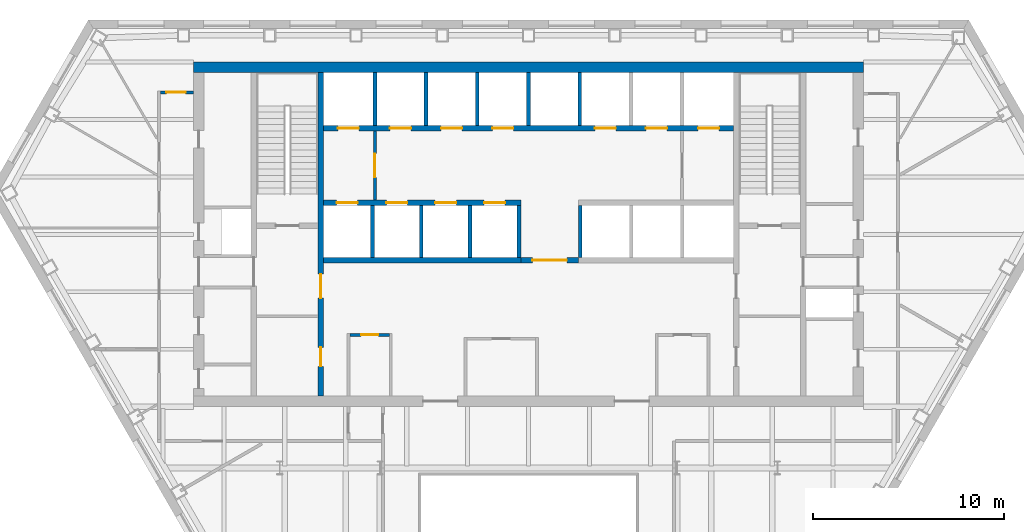
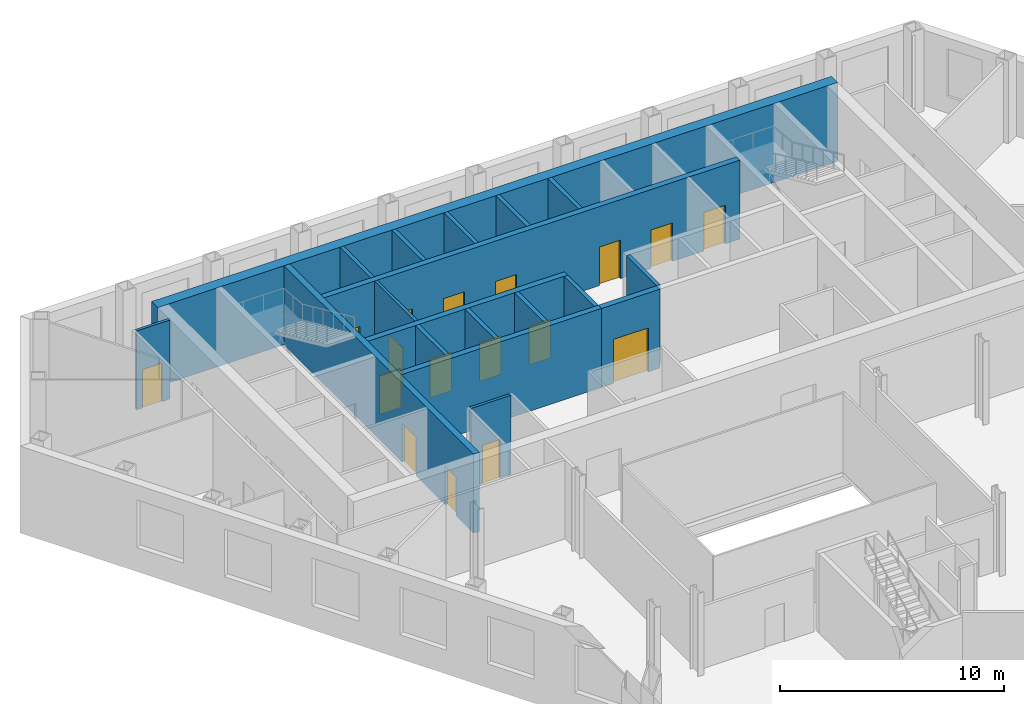
# One storey, part 6 of 11: 19 walls, 17 doors, 17 openings.
"""IFC4 building model written with IfcOpenShell, lengths in metres."""

from ifc_helpers import new_model, si_unit, direction, frame, frame_2d, origin, place, context, subcontext, project, spatial, rectangle, extrude, material, layer, layer_set, type_object, element, fill, save


model = new_model("IFC4")

# Units and contexts
model_context = context("Model", 3, precision=1e-05, world=origin(), true_north=direction((0.0, 1.0)))
body_context = subcontext(model_context, "Body", "Model", "MODEL_VIEW")
ifc_project = project(units=[si_unit("LENGTHUNIT", "METRE"), si_unit("AREAUNIT", "SQUARE_METRE"), si_unit("VOLUMEUNIT", "CUBIC_METRE"), si_unit("PLANEANGLEUNIT", "RADIAN"), si_unit("MASSUNIT", "GRAM", prefix="KILO")], contexts=[model_context])

# Site, building, storey
site_placement = place(None, origin())
site = spatial("IfcSite", under=ifc_project, at=site_placement, CompositionType="ELEMENT")
building_placement = place(site_placement, origin())
building = spatial("IfcBuilding", under=site, at=building_placement, Name="Njiva Tower", CompositionType="ELEMENT")
storey_placement = place(building_placement, frame((0.0, 0.0, 93.3)))
storey = spatial("IfcBuildingStorey", under=building, at=storey_placement, Name="L19", CompositionType="ELEMENT", Elevation=93.3)

# Wall, opening, door
ifc_material_1 = material(Name="Blockwork", Category="masonry")
ifc_layer_1 = layer(ifc_material_1, 0.15)
ifc_layer_set_1 = layer_set([ifc_layer_1], Name="Blockwork")
wall_type_1 = type_object("IfcWallType", Name="WT1 Compartment partition 150", PredefinedType="PARTITIONING", material=ifc_layer_set_1)
wall_1_placement = place(storey_placement, frame((-9.325, 3.75, 0.0), z_axis=(0.0, 0.0, 1.0), x_axis=(1.0, 0.0, 0.0)))
wall_1 = element("IfcWall", 1, at=wall_1_placement, inside=storey, type_object=wall_type_1, Name="Concierge office wall north", PredefinedType="PARTITIONING", context=body_context, shape_type="SweptSolid", body=[
    extrude(rectangle(XDim=2.05, YDim=0.15, at=frame_2d((1.025, 0.0))), origin(), (0.0, 0.0, 1.0), 4.3),
])
opening_1_placement = place(wall_1_placement, frame((0.575, 0.0, 0.0)))
opening_1 = element("IfcOpeningElement", 2, at=opening_1_placement, cuts=wall_1, Name="Opening S06-D932", PredefinedType="OPENING", context=body_context, shape_type="SweptSolid", body=[
    extrude(rectangle(XDim=0.9, YDim=2.1, at=frame_2d((0.45, 1.05))), frame((0.0, 0.085, 0.0), z_axis=(0.0, -1.0, 0.0), x_axis=(1.0, 0.0, 0.0)), (0.0, 0.0, 1.0), 0.17),
])
ifc_material_2 = material(Name="Steel fire door, painted", Category="steel")
door_type_1 = type_object("IfcDoorType", Name="D6 Fire-rated door 900x2100", OperationType="SINGLE_SWING_LEFT", PredefinedType="DOOR", material=ifc_material_2)
door_1_placement = place(opening_1_placement, origin())
door_1 = element("IfcDoor", 3, at=door_1_placement, inside=storey, type_object=door_type_1, Name="Concierge office door", OperationType="SINGLE_SWING_RIGHT", OverallHeight=2.1, OverallWidth=0.9, PredefinedType="DOOR", context=body_context, shape_type="SweptSolid", body=[
    extrude(rectangle(XDim=0.9, YDim=2.1, at=frame_2d((0.45, 1.05))), frame((0.0, 0.025, 0.0), z_axis=(0.0, -1.0, 0.0), x_axis=(1.0, 0.0, 0.0)), (0.0, 0.0, 1.0), 0.05),
])
fill(opening_1, door_1)

# Wall, openings, doors
ifc_material_3 = material(Name="Concrete C40/50", Category="concrete")
ifc_layer_2 = layer(ifc_material_3, 0.3)
ifc_layer_set_2 = layer_set([ifc_layer_2], Name="Concrete C40/50")
wall_type_2 = type_object("IfcWallType", Name="WT10 Stair enclosure wall 300", PredefinedType="SHEAR", material=ifc_layer_set_2)
wall_2_placement = place(storey_placement, frame((-10.85, 0.55, 0.0), z_axis=(0.0, 0.0, 1.0), x_axis=(0.0, 1.0, 0.0)))
wall_2 = element("IfcWall", 4, at=wall_2_placement, inside=storey, type_object=wall_type_2, Name="Stair wall west inner", PredefinedType="SHEAR", context=body_context, shape_type="SweptSolid", body=[
    extrude(rectangle(XDim=16.9, YDim=0.3, at=frame_2d((8.45, 0.0))), origin(), (0.0, 0.0, 1.0), 4.3),
])
opening_2_placement = place(wall_2_placement, frame((5.125, 0.0, 0.0)))
opening_2 = element("IfcOpeningElement", 5, at=opening_2_placement, cuts=wall_2, Name="Opening S06-D914", PredefinedType="OPENING", context=body_context, shape_type="SweptSolid", body=[
    extrude(rectangle(XDim=1.25, YDim=2.1, at=frame_2d((0.625, 1.05))), frame((0.0, 0.16, 0.0), z_axis=(0.0, -1.0, 0.0), x_axis=(1.0, 0.0, 0.0)), (0.0, 0.0, 1.0), 0.32),
])
opening_3_placement = place(wall_2_placement, frame((1.55, 0.0, 0.0)))
opening_3 = element("IfcOpeningElement", 6, at=opening_3_placement, cuts=wall_2, Name="Opening S06-D915", PredefinedType="OPENING", context=body_context, shape_type="SweptSolid", body=[
    extrude(rectangle(XDim=1.0, YDim=2.1, at=frame_2d((0.5, 1.05))), frame((0.0, 0.16, 0.0), z_axis=(0.0, -1.0, 0.0), x_axis=(1.0, 0.0, 0.0)), (0.0, 0.0, 1.0), 0.32),
])
ifc_material_4 = material(Name="Steel door, painted", Category="steel")
door_type_2 = type_object("IfcDoorType", Name="D5 Steel door 1000x2100", OperationType="SINGLE_SWING_LEFT", PredefinedType="DOOR", material=ifc_material_4)
door_2_placement = place(opening_3_placement, origin())
door_2 = element("IfcDoor", 7, at=door_2_placement, inside=storey, type_object=door_type_2, Name="Reading room door", OperationType="SINGLE_SWING_RIGHT", OverallHeight=2.1, OverallWidth=1.0, PredefinedType="DOOR", context=body_context, shape_type="SweptSolid", body=[
    extrude(rectangle(XDim=1.0, YDim=2.1, at=frame_2d((0.5, 1.05))), frame((0.0, 0.025, 0.0), z_axis=(0.0, -1.0, 0.0), x_axis=(1.0, 0.0, 0.0)), (0.0, 0.0, 1.0), 0.05),
])
fill(opening_3, door_2)
ifc_material_5 = material(Name="Glazed steel fire door", Category="steel")
door_type_3 = type_object("IfcDoorType", Name="D8 Vestibule corridor door 1250x2100 glazed", OperationType="SINGLE_SWING_LEFT", PredefinedType="DOOR", material=ifc_material_5)
door_3_placement = place(opening_2_placement, origin())
door_3 = element("IfcDoor", 8, at=door_3_placement, inside=storey, type_object=door_type_3, Name="Stair vestibule corridor door", OperationType="SINGLE_SWING_LEFT", OverallHeight=2.1, OverallWidth=1.25, PredefinedType="DOOR", context=body_context, shape_type="SweptSolid", body=[
    extrude(rectangle(XDim=1.25, YDim=2.1, at=frame_2d((0.625, 1.05))), frame((0.0, 0.025, 0.0), z_axis=(0.0, -1.0, 0.0), x_axis=(1.0, 0.0, 0.0)), (0.0, 0.0, 1.0), 0.05),
])
fill(opening_2, door_3)

# Wall
ifc_material_6 = material(Name="Concrete C60/75", Category="concrete")
ifc_layer_3 = layer(ifc_material_6, 0.55)
ifc_layer_set_3 = layer_set([ifc_layer_3], Name="Concrete C60/75")
wall_type_3 = type_object("IfcWallType", Name="WT14 Core wall 550", PredefinedType="SHEAR", material=ifc_layer_set_3)
wall_3_placement = place(storey_placement, frame((-17.5, 17.725, 0.0), z_axis=(0.0, 0.0, 1.0), x_axis=(1.0, 0.0, 0.0)))
element("IfcWall", 9, at=wall_3_placement, inside=storey, type_object=wall_type_3, Name="Core wall north", PredefinedType="SHEAR", context=body_context, shape_type="SweptSolid", body=[
    extrude(rectangle(XDim=35.0, YDim=0.55, at=frame_2d((17.5, 0.0))), origin(), (0.0, 0.0, 1.0), 4.3),
])

# Wall, opening, door
ifc_layer_4 = layer(ifc_material_1, 0.15)
ifc_layer_set_4 = layer_set([ifc_layer_4], Name="Blockwork")
wall_type_4 = type_object("IfcWallType", Name="WT2 Lobby partition 150", PredefinedType="PARTITIONING", material=ifc_layer_set_4)
wall_4_placement = place(storey_placement, frame((-8.025, 10.8, 0.0), z_axis=(0.0, 0.0, 1.0), x_axis=(0.0, 1.0, 0.0)))
wall_4 = element("IfcWall", 10, at=wall_4_placement, inside=storey, type_object=wall_type_4, Name="Firefighting lobby wall A", PredefinedType="PARTITIONING", context=body_context, shape_type="SweptSolid", body=[
    extrude(rectangle(XDim=3.6, YDim=0.15, at=frame_2d((1.8, 0.0))), origin(), (0.0, 0.0, 1.0), 4.3),
])
opening_4_placement = place(wall_4_placement, frame((1.175, 0.0, 0.0)))
opening_4 = element("IfcOpeningElement", 11, at=opening_4_placement, cuts=wall_4, Name="Opening S06-D912", PredefinedType="OPENING", context=body_context, shape_type="SweptSolid", body=[
    extrude(rectangle(XDim=1.25, YDim=2.1, at=frame_2d((0.625, 1.05))), frame((0.0, 0.085, 0.0), z_axis=(0.0, -1.0, 0.0), x_axis=(1.0, 0.0, 0.0)), (0.0, 0.0, 1.0), 0.17),
])
door_4_placement = place(opening_4_placement, origin())
door_4 = element("IfcDoor", 12, at=door_4_placement, inside=storey, type_object=door_type_3, Name="Stair vestibule corridor door", OperationType="SINGLE_SWING_RIGHT", OverallHeight=2.1, OverallWidth=1.25, PredefinedType="DOOR", context=body_context, shape_type="SweptSolid", body=[
    extrude(rectangle(XDim=1.25, YDim=2.1, at=frame_2d((0.625, 1.05))), frame((0.0, 0.025, 0.0), z_axis=(0.0, -1.0, 0.0), x_axis=(1.0, 0.0, 0.0)), (0.0, 0.0, 1.0), 0.05),
])
fill(opening_4, door_4)

ifc_material_7 = material(Name="Gypsum board on steel studs", Category="gypsum")
ifc_layer_5 = layer(ifc_material_7, 0.15)
ifc_layer_set_5 = layer_set([ifc_layer_5], Name="Gypsum board on steel studs")
wall_type_5 = type_object("IfcWallType", Name="WT21 Compartment wall 150", PredefinedType="PARTITIONING", material=ifc_layer_set_5)
wall_5_placement = place(storey_placement, frame((-19.225, 16.416, 0.0), z_axis=(0.0, 0.0, 1.0), x_axis=(1.0, 0.0, 0.0)))
wall_5 = element("IfcWall", 13, at=wall_5_placement, inside=storey, type_object=wall_type_5, Name="Partition S06-P010", PredefinedType="PARTITIONING", context=body_context, shape_type="SweptSolid", body=[
    extrude(rectangle(XDim=1.725, YDim=0.15, at=frame_2d((0.8625, 0.0))), origin(), (0.0, 0.0, 1.0), 4.3),
])
opening_5_placement = place(wall_5_placement, frame((0.308, 0.0, 0.0)))
opening_5 = element("IfcOpeningElement", 14, at=opening_5_placement, cuts=wall_5, Name="Opening S06-D006", PredefinedType="OPENING", context=body_context, shape_type="SweptSolid", body=[
    extrude(rectangle(XDim=1.0, YDim=2.1, at=frame_2d((0.5, 1.05))), frame((0.0, 0.085, 0.0), z_axis=(0.0, -1.0, 0.0), x_axis=(1.0, 0.0, 0.0)), (0.0, 0.0, 1.0), 0.17),
])
ifc_material_8 = material(Name="Steel fire door set", Category="steel")
door_type_4 = type_object("IfcDoorType", Name="D37 Fire door 1000x2100", OperationType="SINGLE_SWING_LEFT", PredefinedType="DOOR", material=ifc_material_8)
door_5_placement = place(opening_5_placement, origin())
door_5 = element("IfcDoor", 15, at=door_5_placement, inside=storey, type_object=door_type_4, Name="Door S06-D006", OperationType="SINGLE_SWING_RIGHT", OverallHeight=2.1, OverallWidth=1.0, PredefinedType="DOOR", context=body_context, shape_type="SweptSolid", body=[
    extrude(rectangle(XDim=1.0, YDim=2.1, at=frame_2d((0.5, 1.05))), frame((0.0, 0.025, 0.0), z_axis=(0.0, -1.0, 0.0), x_axis=(1.0, 0.0, 0.0)), (0.0, 0.0, 1.0), 0.05),
])
fill(opening_5, door_5)

ifc_layer_6 = layer(ifc_material_1, 0.3)
ifc_layer_set_6 = layer_set([ifc_layer_6], Name="Blockwork")
wall_type_6 = type_object("IfcWallType", Name="WT5 Lobby partition 300", PredefinedType="PARTITIONING", material=ifc_layer_set_6)
wall_6_placement = place(storey_placement, frame((-0.4, 7.65, 0.0), z_axis=(0.0, 0.0, 1.0), x_axis=(1.0, 0.0, 0.0)))
wall_6 = element("IfcWall", 16, at=wall_6_placement, inside=storey, type_object=wall_type_6, Name="Lift lobby screen wall", PredefinedType="PARTITIONING", context=body_context, shape_type="SweptSolid", body=[
    extrude(rectangle(XDim=3.0, YDim=0.3, at=frame_2d((1.5, 0.0))), origin(), (0.0, 0.0, 1.0), 4.3),
])
opening_6_placement = place(wall_6_placement, frame((0.6, 0.0, 0.0)))
opening_6 = element("IfcOpeningElement", 17, at=opening_6_placement, cuts=wall_6, Name="Opening S06-D935", PredefinedType="OPENING", context=body_context, shape_type="SweptSolid", body=[
    extrude(rectangle(XDim=1.8, YDim=2.4, at=frame_2d((0.9, 1.2))), frame((0.0, 0.16, 0.0), z_axis=(0.0, -1.0, 0.0), x_axis=(1.0, 0.0, 0.0)), (0.0, 0.0, 1.0), 0.32),
])
ifc_material_9 = material(Name="Steel and glass door", Category="steel")
door_type_5 = type_object("IfcDoorType", Name="D3 Core entrance door 1800x2400", OperationType="DOUBLE_DOOR_SINGLE_SWING", PredefinedType="DOOR", material=ifc_material_9)
door_6_placement = place(opening_6_placement, origin())
door_6 = element("IfcDoor", 18, at=door_6_placement, inside=storey, type_object=door_type_5, Name="Core entrance door", OperationType="DOUBLE_DOOR_SINGLE_SWING", OverallHeight=2.4, OverallWidth=1.8, PredefinedType="DOOR", context=body_context, shape_type="SweptSolid", body=[
    extrude(rectangle(XDim=1.8, YDim=2.4, at=frame_2d((0.9, 1.2))), frame((0.0, 0.025, 0.0), z_axis=(0.0, -1.0, 0.0), x_axis=(1.0, 0.0, 0.0)), (0.0, 0.0, 1.0), 0.05),
])
fill(opening_6, door_6)

# Walls
ifc_layer_7 = layer(ifc_material_3, 0.2)
ifc_layer_set_7 = layer_set([ifc_layer_7], Name="Concrete C40/50")
wall_type_7 = type_object("IfcWallType", Name="WT6 Lift shaft wall 200", PredefinedType="SHEAR", material=ifc_layer_set_7)
for number, where, z_axis, x_axis, name in (
    (19, (-8.025, 14.7, 0.0), (0.0, 0.0, 1.0), (0.0, 1.0, 0.0), "Shaft wall CN1"),
    (20, (-5.35, 14.7, 0.0), (0.0, 0.0, 1.0), (0.0, 1.0, 0.0), "Shaft wall CN2"),
    (21, (-2.675, 14.7, 0.0), (0.0, 0.0, 1.0), (0.0, 1.0, 0.0), "Shaft wall CN3"),
    (22, (0.0, 14.7, 0.0), (0.0, 0.0, 1.0), (0.0, 1.0, 0.0), "Shaft wall CN4"),
    (23, (2.675, 14.7, 0.0), (0.0, 0.0, 1.0), (0.0, 1.0, 0.0), "Shaft wall CN5"),
):
    element("IfcWall", number, at=place(storey_placement, frame(where, z_axis=z_axis, x_axis=x_axis)), inside=storey, type_object=wall_type_7, Name=name, PredefinedType="SHEAR", context=body_context, shape_type="SweptSolid", body=[
        extrude(rectangle(XDim=2.75, YDim=0.2, at=frame_2d((1.375, 0.0))), origin(), (0.0, 0.0, 1.0), 4.3),
    ])
for number, where, z_axis, x_axis, name in (
    (24, (-8.15, 7.8, 0.0), (0.0, 0.0, 1.0), (0.0, 1.0, 0.0), "Shaft wall CS1"),
    (25, (-5.6, 7.8, 0.0), (0.0, 0.0, 1.0), (0.0, 1.0, 0.0), "Shaft wall CS2"),
    (26, (-3.05, 7.8, 0.0), (0.0, 0.0, 1.0), (0.0, 1.0, 0.0), "Shaft wall CS3"),
    (27, (-0.5, 7.8, 0.0), (0.0, 0.0, 1.0), (0.0, 1.0, 0.0), "Shaft wall CS4"),
    (28, (2.7, 7.8, 0.0), (0.0, 0.0, 1.0), (0.0, 1.0, 0.0), "Shaft wall CS5"),
):
    element("IfcWall", number, at=place(storey_placement, frame(where, z_axis=z_axis, x_axis=x_axis)), inside=storey, type_object=wall_type_7, Name=name, PredefinedType="SHEAR", context=body_context, shape_type="SweptSolid", body=[
        extrude(rectangle(XDim=2.7, YDim=0.2, at=frame_2d((1.35, 0.0))), origin(), (0.0, 0.0, 1.0), 4.3),
    ])

# Wall, openings, doors
ifc_layer_8 = layer(ifc_material_3, 0.3)
ifc_layer_set_8 = layer_set([ifc_layer_8], Name="Concrete C40/50")
wall_type_8 = type_object("IfcWallType", Name="WT7 Lift shaft wall 300", PredefinedType="SHEAR", material=ifc_layer_set_8)
wall_7_placement = place(storey_placement, frame((-10.7, 14.55, 0.0), z_axis=(0.0, 0.0, 1.0), x_axis=(1.0, 0.0, 0.0)))
wall_7 = element("IfcWall", 29, at=wall_7_placement, inside=storey, type_object=wall_type_8, Name="Shaft wall north row lobby side", PredefinedType="SHEAR", context=body_context, shape_type="SweptSolid", body=[
    extrude(rectangle(XDim=21.4, YDim=0.3, at=frame_2d((10.7, 0.0))), origin(), (0.0, 0.0, 1.0), 4.3),
])
opening_7_placement = place(wall_7_placement, frame((0.7375, 0.0, 0.0)))
opening_7 = element("IfcOpeningElement", 30, at=opening_7_placement, cuts=wall_7, Name="Opening S06-D901", PredefinedType="OPENING", context=body_context, shape_type="SweptSolid", body=[
    extrude(rectangle(XDim=1.1, YDim=2.1, at=frame_2d((0.55, 1.05))), frame((0.0, 0.16, 0.0), z_axis=(0.0, -1.0, 0.0), x_axis=(1.0, 0.0, 0.0)), (0.0, 0.0, 1.0), 0.32),
])
opening_8_placement = place(wall_7_placement, frame((3.4625, 0.0, 0.0)))
opening_8 = element("IfcOpeningElement", 31, at=opening_8_placement, cuts=wall_7, Name="Opening S06-D902", PredefinedType="OPENING", context=body_context, shape_type="SweptSolid", body=[
    extrude(rectangle(XDim=1.1, YDim=2.1, at=frame_2d((0.55, 1.05))), frame((0.0, 0.16, 0.0), z_axis=(0.0, -1.0, 0.0), x_axis=(1.0, 0.0, 0.0)), (0.0, 0.0, 1.0), 0.32),
])
opening_9_placement = place(wall_7_placement, frame((6.1375, 0.0, 0.0)))
opening_9 = element("IfcOpeningElement", 32, at=opening_9_placement, cuts=wall_7, Name="Opening S06-D903", PredefinedType="OPENING", context=body_context, shape_type="SweptSolid", body=[
    extrude(rectangle(XDim=1.1, YDim=2.1, at=frame_2d((0.55, 1.05))), frame((0.0, 0.16, 0.0), z_axis=(0.0, -1.0, 0.0), x_axis=(1.0, 0.0, 0.0)), (0.0, 0.0, 1.0), 0.32),
])
opening_10_placement = place(wall_7_placement, frame((8.8125, 0.0, 0.0)))
opening_10 = element("IfcOpeningElement", 33, at=opening_10_placement, cuts=wall_7, Name="Opening S06-D904", PredefinedType="OPENING", context=body_context, shape_type="SweptSolid", body=[
    extrude(rectangle(XDim=1.1, YDim=2.1, at=frame_2d((0.55, 1.05))), frame((0.0, 0.16, 0.0), z_axis=(0.0, -1.0, 0.0), x_axis=(1.0, 0.0, 0.0)), (0.0, 0.0, 1.0), 0.32),
])
opening_11_placement = place(wall_7_placement, frame((14.1625, 0.0, 0.0)))
opening_11 = element("IfcOpeningElement", 34, at=opening_11_placement, cuts=wall_7, Name="Opening S06-D905", PredefinedType="OPENING", context=body_context, shape_type="SweptSolid", body=[
    extrude(rectangle(XDim=1.1, YDim=2.1, at=frame_2d((0.55, 1.05))), frame((0.0, 0.16, 0.0), z_axis=(0.0, -1.0, 0.0), x_axis=(1.0, 0.0, 0.0)), (0.0, 0.0, 1.0), 0.32),
])
opening_12_placement = place(wall_7_placement, frame((16.8375, 0.0, 0.0)))
opening_12 = element("IfcOpeningElement", 35, at=opening_12_placement, cuts=wall_7, Name="Opening S06-D906", PredefinedType="OPENING", context=body_context, shape_type="SweptSolid", body=[
    extrude(rectangle(XDim=1.1, YDim=2.1, at=frame_2d((0.55, 1.05))), frame((0.0, 0.16, 0.0), z_axis=(0.0, -1.0, 0.0), x_axis=(1.0, 0.0, 0.0)), (0.0, 0.0, 1.0), 0.32),
])
opening_13_placement = place(wall_7_placement, frame((19.5625, 0.0, 0.0)))
opening_13 = element("IfcOpeningElement", 36, at=opening_13_placement, cuts=wall_7, Name="Opening S06-D907", PredefinedType="OPENING", context=body_context, shape_type="SweptSolid", body=[
    extrude(rectangle(XDim=1.1, YDim=2.1, at=frame_2d((0.55, 1.05))), frame((0.0, 0.16, 0.0), z_axis=(0.0, -1.0, 0.0), x_axis=(1.0, 0.0, 0.0)), (0.0, 0.0, 1.0), 0.32),
])
ifc_material_10 = material(Name="Stainless steel sliding door", Category="steel")
door_type_6 = type_object("IfcDoorType", Name="LD Lift landing door 1100x2100", OperationType="SLIDING_TO_LEFT", PredefinedType="DOOR", material=ifc_material_10)
door_7_placement = place(opening_7_placement, origin())
door_7 = element("IfcDoor", 37, at=door_7_placement, inside=storey, type_object=door_type_6, Name="Lift landing door FF1", OperationType="SLIDING_TO_LEFT", OverallHeight=2.1, OverallWidth=1.1, PredefinedType="DOOR", context=body_context, shape_type="SweptSolid", body=[
    extrude(rectangle(XDim=1.1, YDim=2.1, at=frame_2d((0.55, 1.05))), frame((0.0, 0.025, 0.0), z_axis=(0.0, -1.0, 0.0), x_axis=(1.0, 0.0, 0.0)), (0.0, 0.0, 1.0), 0.05),
])
fill(opening_7, door_7)
door_8_placement = place(opening_8_placement, origin())
door_8 = element("IfcDoor", 38, at=door_8_placement, inside=storey, type_object=door_type_6, Name="Lift landing door LB1", OperationType="SLIDING_TO_LEFT", OverallHeight=2.1, OverallWidth=1.1, PredefinedType="DOOR", context=body_context, shape_type="SweptSolid", body=[
    extrude(rectangle(XDim=1.1, YDim=2.1, at=frame_2d((0.55, 1.05))), frame((0.0, 0.025, 0.0), z_axis=(0.0, -1.0, 0.0), x_axis=(1.0, 0.0, 0.0)), (0.0, 0.0, 1.0), 0.05),
])
fill(opening_8, door_8)
door_9_placement = place(opening_9_placement, origin())
door_9 = element("IfcDoor", 39, at=door_9_placement, inside=storey, type_object=door_type_6, Name="Lift landing door LB2", OperationType="SLIDING_TO_LEFT", OverallHeight=2.1, OverallWidth=1.1, PredefinedType="DOOR", context=body_context, shape_type="SweptSolid", body=[
    extrude(rectangle(XDim=1.1, YDim=2.1, at=frame_2d((0.55, 1.05))), frame((0.0, 0.025, 0.0), z_axis=(0.0, -1.0, 0.0), x_axis=(1.0, 0.0, 0.0)), (0.0, 0.0, 1.0), 0.05),
])
fill(opening_9, door_9)
door_10_placement = place(opening_10_placement, origin())
door_10 = element("IfcDoor", 40, at=door_10_placement, inside=storey, type_object=door_type_6, Name="Lift landing door LB3", OperationType="SLIDING_TO_LEFT", OverallHeight=2.1, OverallWidth=1.1, PredefinedType="DOOR", context=body_context, shape_type="SweptSolid", body=[
    extrude(rectangle(XDim=1.1, YDim=2.1, at=frame_2d((0.55, 1.05))), frame((0.0, 0.025, 0.0), z_axis=(0.0, -1.0, 0.0), x_axis=(1.0, 0.0, 0.0)), (0.0, 0.0, 1.0), 0.05),
])
fill(opening_10, door_10)
door_11_placement = place(opening_11_placement, origin())
door_11 = element("IfcDoor", 41, at=door_11_placement, inside=storey, type_object=door_type_6, Name="Lift landing door FR1", OperationType="SLIDING_TO_LEFT", OverallHeight=2.1, OverallWidth=1.1, PredefinedType="DOOR", context=body_context, shape_type="SweptSolid", body=[
    extrude(rectangle(XDim=1.1, YDim=2.1, at=frame_2d((0.55, 1.05))), frame((0.0, 0.025, 0.0), z_axis=(0.0, -1.0, 0.0), x_axis=(1.0, 0.0, 0.0)), (0.0, 0.0, 1.0), 0.05),
])
fill(opening_11, door_11)
door_12_placement = place(opening_12_placement, origin())
door_12 = element("IfcDoor", 42, at=door_12_placement, inside=storey, type_object=door_type_6, Name="Lift landing door FR2", OperationType="SLIDING_TO_LEFT", OverallHeight=2.1, OverallWidth=1.1, PredefinedType="DOOR", context=body_context, shape_type="SweptSolid", body=[
    extrude(rectangle(XDim=1.1, YDim=2.1, at=frame_2d((0.55, 1.05))), frame((0.0, 0.025, 0.0), z_axis=(0.0, -1.0, 0.0), x_axis=(1.0, 0.0, 0.0)), (0.0, 0.0, 1.0), 0.05),
])
fill(opening_12, door_12)
door_13_placement = place(opening_13_placement, origin())
door_13 = element("IfcDoor", 43, at=door_13_placement, inside=storey, type_object=door_type_6, Name="Lift landing door FF2", OperationType="SLIDING_TO_LEFT", OverallHeight=2.1, OverallWidth=1.1, PredefinedType="DOOR", context=body_context, shape_type="SweptSolid", body=[
    extrude(rectangle(XDim=1.1, YDim=2.1, at=frame_2d((0.55, 1.05))), frame((0.0, 0.025, 0.0), z_axis=(0.0, -1.0, 0.0), x_axis=(1.0, 0.0, 0.0)), (0.0, 0.0, 1.0), 0.05),
])
fill(opening_13, door_13)

wall_8_placement = place(storey_placement, frame((-10.7, 10.65, 0.0), z_axis=(0.0, 0.0, 1.0), x_axis=(1.0, 0.0, 0.0)))
wall_8 = element("IfcWall", 44, at=wall_8_placement, inside=storey, type_object=wall_type_8, Name="Shaft wall south row lobby side W", PredefinedType="SHEAR", context=body_context, shape_type="SweptSolid", body=[
    extrude(rectangle(XDim=10.3, YDim=0.3, at=frame_2d((5.15, 0.0))), origin(), (0.0, 0.0, 1.0), 4.3),
])
opening_14_placement = place(wall_8_placement, frame((0.675, 0.0, 0.0)))
opening_14 = element("IfcOpeningElement", 45, at=opening_14_placement, cuts=wall_8, Name="Opening S06-D908", PredefinedType="OPENING", context=body_context, shape_type="SweptSolid", body=[
    extrude(rectangle(XDim=1.1, YDim=2.1, at=frame_2d((0.55, 1.05))), frame((0.0, 0.16, 0.0), z_axis=(0.0, -1.0, 0.0), x_axis=(1.0, 0.0, 0.0)), (0.0, 0.0, 1.0), 0.32),
])
opening_15_placement = place(wall_8_placement, frame((3.275, 0.0, 0.0)))
opening_15 = element("IfcOpeningElement", 46, at=opening_15_placement, cuts=wall_8, Name="Opening S06-D909", PredefinedType="OPENING", context=body_context, shape_type="SweptSolid", body=[
    extrude(rectangle(XDim=1.1, YDim=2.1, at=frame_2d((0.55, 1.05))), frame((0.0, 0.16, 0.0), z_axis=(0.0, -1.0, 0.0), x_axis=(1.0, 0.0, 0.0)), (0.0, 0.0, 1.0), 0.32),
])
opening_16_placement = place(wall_8_placement, frame((5.825, 0.0, 0.0)))
opening_16 = element("IfcOpeningElement", 47, at=opening_16_placement, cuts=wall_8, Name="Opening S06-D910", PredefinedType="OPENING", context=body_context, shape_type="SweptSolid", body=[
    extrude(rectangle(XDim=1.1, YDim=2.1, at=frame_2d((0.55, 1.05))), frame((0.0, 0.16, 0.0), z_axis=(0.0, -1.0, 0.0), x_axis=(1.0, 0.0, 0.0)), (0.0, 0.0, 1.0), 0.32),
])
opening_17_placement = place(wall_8_placement, frame((8.375, 0.0, 0.0)))
opening_17 = element("IfcOpeningElement", 48, at=opening_17_placement, cuts=wall_8, Name="Opening S06-D911", PredefinedType="OPENING", context=body_context, shape_type="SweptSolid", body=[
    extrude(rectangle(XDim=1.1, YDim=2.1, at=frame_2d((0.55, 1.05))), frame((0.0, 0.16, 0.0), z_axis=(0.0, -1.0, 0.0), x_axis=(1.0, 0.0, 0.0)), (0.0, 0.0, 1.0), 0.32),
])
door_14_placement = place(opening_14_placement, origin())
door_14 = element("IfcDoor", 49, at=door_14_placement, inside=storey, type_object=door_type_6, Name="Lift landing door LB4", OperationType="SLIDING_TO_LEFT", OverallHeight=2.1, OverallWidth=1.1, PredefinedType="DOOR", context=body_context, shape_type="SweptSolid", body=[
    extrude(rectangle(XDim=1.1, YDim=2.1, at=frame_2d((0.55, 1.05))), frame((0.0, 0.025, 0.0), z_axis=(0.0, -1.0, 0.0), x_axis=(1.0, 0.0, 0.0)), (0.0, 0.0, 1.0), 0.05),
])
fill(opening_14, door_14)
door_15_placement = place(opening_15_placement, origin())
door_15 = element("IfcDoor", 50, at=door_15_placement, inside=storey, type_object=door_type_6, Name="Lift landing door LB5", OperationType="SLIDING_TO_LEFT", OverallHeight=2.1, OverallWidth=1.1, PredefinedType="DOOR", context=body_context, shape_type="SweptSolid", body=[
    extrude(rectangle(XDim=1.1, YDim=2.1, at=frame_2d((0.55, 1.05))), frame((0.0, 0.025, 0.0), z_axis=(0.0, -1.0, 0.0), x_axis=(1.0, 0.0, 0.0)), (0.0, 0.0, 1.0), 0.05),
])
fill(opening_15, door_15)
door_16_placement = place(opening_16_placement, origin())
door_16 = element("IfcDoor", 51, at=door_16_placement, inside=storey, type_object=door_type_6, Name="Lift landing door LB6", OperationType="SLIDING_TO_LEFT", OverallHeight=2.1, OverallWidth=1.1, PredefinedType="DOOR", context=body_context, shape_type="SweptSolid", body=[
    extrude(rectangle(XDim=1.1, YDim=2.1, at=frame_2d((0.55, 1.05))), frame((0.0, 0.025, 0.0), z_axis=(0.0, -1.0, 0.0), x_axis=(1.0, 0.0, 0.0)), (0.0, 0.0, 1.0), 0.05),
])
fill(opening_16, door_16)
door_17_placement = place(opening_17_placement, origin())
door_17 = element("IfcDoor", 52, at=door_17_placement, inside=storey, type_object=door_type_6, Name="Lift landing door LB7", OperationType="SLIDING_TO_LEFT", OverallHeight=2.1, OverallWidth=1.1, PredefinedType="DOOR", context=body_context, shape_type="SweptSolid", body=[
    extrude(rectangle(XDim=1.1, YDim=2.1, at=frame_2d((0.55, 1.05))), frame((0.0, 0.025, 0.0), z_axis=(0.0, -1.0, 0.0), x_axis=(1.0, 0.0, 0.0)), (0.0, 0.0, 1.0), 0.05),
])
fill(opening_17, door_17)

# Wall
wall_9_placement = place(storey_placement, frame((-10.7, 7.65, 0.0), z_axis=(0.0, 0.0, 1.0), x_axis=(1.0, 0.0, 0.0)))
element("IfcWall", 53, at=wall_9_placement, inside=storey, type_object=wall_type_8, Name="Shaft wall south row back W", PredefinedType="SHEAR", context=body_context, shape_type="SweptSolid", body=[
    extrude(rectangle(XDim=10.3, YDim=0.3, at=frame_2d((5.15, 0.0))), origin(), (0.0, 0.0, 1.0), 4.3),
])

save(model, "model.ifc")
